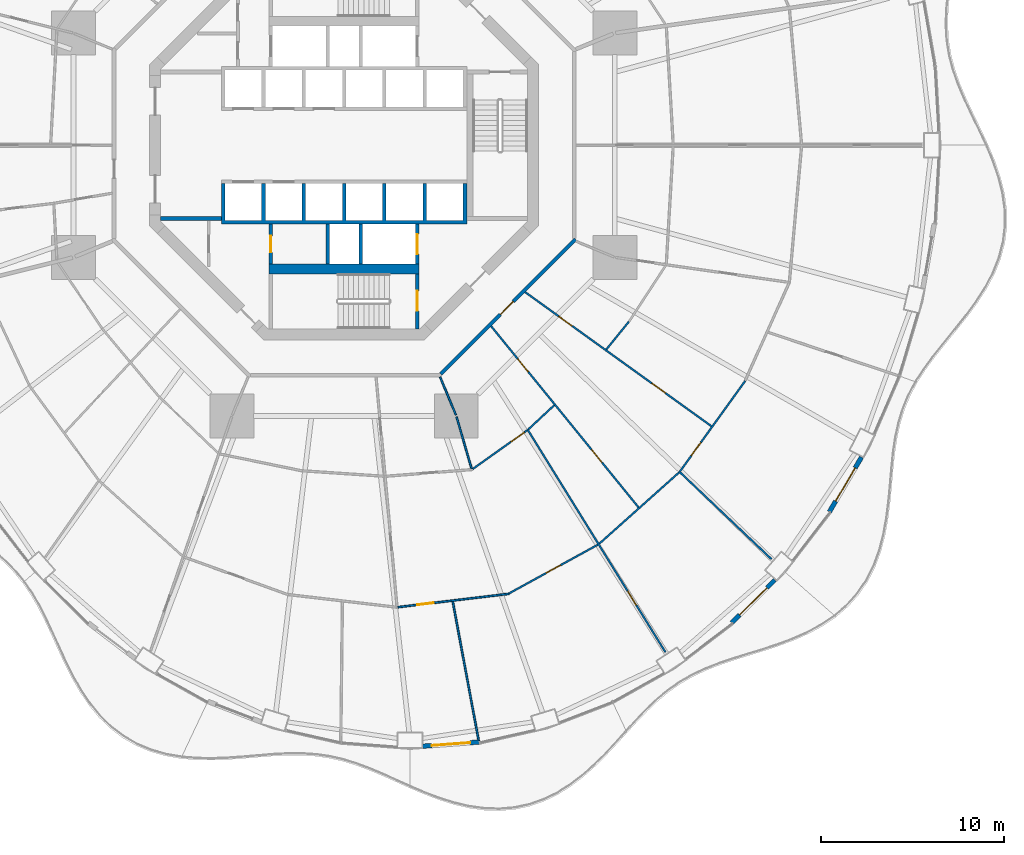
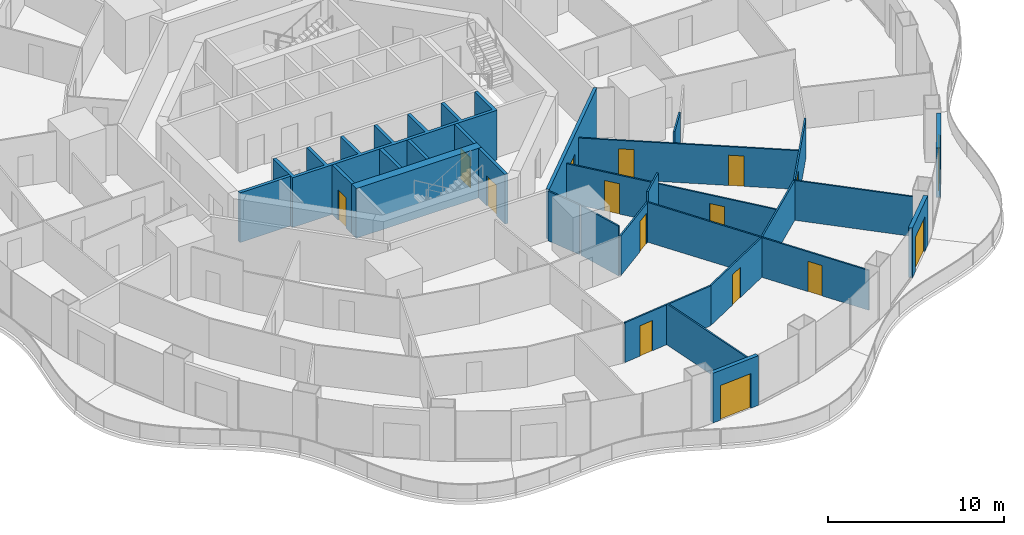
# One storey, part 14 of 21: 26 walls, 16 doors, 16 openings.
"""IFC4 building model written with IfcOpenShell, lengths in metres."""

from ifc_helpers import new_model, si_unit, direction, frame, frame_2d, origin, place, context, subcontext, project, spatial, polyline, rectangle, outline, extrude, material, layer, layer_set, type_object, element, fill, save


model = new_model("IFC4")

# Units and contexts
model_context = context("Model", 3, precision=1e-05, world=origin(), true_north=direction((0.0, 1.0)))
body_context = subcontext(model_context, "Body", "Model", "MODEL_VIEW")
ifc_project = project(units=[si_unit("LENGTHUNIT", "METRE"), si_unit("AREAUNIT", "SQUARE_METRE"), si_unit("VOLUMEUNIT", "CUBIC_METRE"), si_unit("PLANEANGLEUNIT", "RADIAN"), si_unit("MASSUNIT", "GRAM", prefix="KILO")], contexts=[model_context])

# Site, building, storey
site_placement = place(None, origin())
site = spatial("IfcSite", under=ifc_project, at=site_placement, CompositionType="ELEMENT")
building_placement = place(site_placement, origin())
building = spatial("IfcBuilding", under=site, at=building_placement, Name="Nagisa Residences", CompositionType="ELEMENT")
storey_placement = place(building_placement, frame((0.0, 0.0, 60.300048828125)))
storey = spatial("IfcBuildingStorey", under=building, at=storey_placement, Name="L14", CompositionType="ELEMENT", Elevation=60.300048828125)

# Wall, opening, door
ifc_material_1 = material(Name="Gypsum board on steel studs", Category="steel")
ifc_layer_1 = layer(ifc_material_1, 0.199951171875)
ifc_layer_set_1 = layer_set([ifc_layer_1], Name="Apartment entry wall EI60 200")
wall_type_1 = type_object("IfcWallType", Name="Apartment entry wall EI60 200", PredefinedType="PARTITIONING", material=ifc_layer_set_1)
wall_1_placement = place(storey_placement, frame((5.275146484375, -12.494140625, 0.0), z_axis=(0.0, 0.0, 1.0), x_axis=(0.707106781187, 0.707106781187, 0.0)))
wall_1 = element("IfcWall", 1, at=wall_1_placement, inside=storey, type_object=wall_type_1, Name="wall:L14:u13", PredefinedType="PARTITIONING", context=body_context, shape_type="SweptSolid", body=[
    extrude(rectangle(XDim=10.4091796875, YDim=0.199951171875, at=frame_2d((5.20458984375, 0.0))), origin(), (0.0, 0.0, 1.0), 3.43994140625),
])
opening_1_placement = place(wall_1_placement, frame((4.6044921875, 0.0, 0.0)))
opening_1 = element("IfcOpeningElement", 2, at=opening_1_placement, cuts=wall_1, Name="Opening L14-U01", PredefinedType="OPENING", context=body_context, shape_type="SweptSolid", body=[
    extrude(rectangle(XDim=1.0, YDim=2.10009765625, at=frame_2d((0.5, 1.050048828125))), frame((0.0, 0.10986328125, 0.0), z_axis=(0.0, -1.0, 0.0), x_axis=(1.0, 0.0, 0.0)), (0.0, 0.0, 1.0), 0.219970703125),
])
ifc_material_2 = material(Name="Timber fire door set", Category="wood")
door_type_1 = type_object("IfcDoorType", Name="Apartment entry door FD30S 1000x2100", OperationType="NOTDEFINED", PredefinedType="DOOR", material=ifc_material_2)
door_1_placement = place(opening_1_placement, frame((1.0, 0.0, 0.0), x_axis=(-1.0, 0.0, 0.0)))
door_1 = element("IfcDoor", 3, at=door_1_placement, inside=storey, type_object=door_type_1, Name="Entry door, Apartment 14A", OperationType="SINGLE_SWING_RIGHT", OverallHeight=2.10009765625, OverallWidth=1.0, PredefinedType="DOOR", context=body_context, shape_type="SweptSolid", body=[
    extrude(rectangle(XDim=1.0, YDim=2.10009765625, at=frame_2d((0.5, 1.050048828125))), frame((0.0, 0.02490234375, 0.0), z_axis=(0.0, -1.0, 0.0), x_axis=(1.0, 0.0, 0.0)), (0.0, 0.0, 1.0), 0.050048828125),
])
fill(opening_1, door_1)

ifc_material_3 = material(Name="Gypsum board on steel studs", Category="steel")
ifc_layer_2 = layer(ifc_material_3, 0.10009765625)
ifc_layer_set_2 = layer_set([ifc_layer_2], Name="Apartment partition 100")
wall_type_2 = type_object("IfcWallType", Name="Apartment partition 100", PredefinedType="PARTITIONING", material=ifc_layer_set_2)
wall_2_placement = place(storey_placement, frame((2.94091796875, -25.228515625, 0.0), z_axis=(0.0, 0.0, 1.0), x_axis=(0.992836126149, 0.119484001497, 0.0)))
wall_2 = element("IfcWall", 4, at=wall_2_placement, inside=storey, type_object=wall_type_2, Name="wall:L14:u76", PredefinedType="PARTITIONING", context=body_context, shape_type="SweptSolid", body=[
    extrude(rectangle(XDim=6.109375, YDim=0.10009765625, at=frame_2d((3.0546875, 0.0))), origin(), (0.0, 0.0, 1.0), 2.755859375),
])
opening_2_placement = place(wall_2_placement, frame((1.052490234375, 0.0, 0.0)))
opening_2 = element("IfcOpeningElement", 5, at=opening_2_placement, cuts=wall_2, Name="Opening L14-U11", PredefinedType="OPENING", context=body_context, shape_type="SweptSolid", body=[
    extrude(rectangle(XDim=0.89990234375, YDim=2.10009765625, at=frame_2d((0.449951171875, 1.050048828125))), frame((0.0, 0.06005859375, 0.0), z_axis=(0.0, -1.0, 0.0), x_axis=(1.0, 0.0, 0.0)), (0.0, 0.0, 1.0), 0.1201171875),
])
ifc_material_4 = material(Name="Timber door set", Category="wood")
door_type_2 = type_object("IfcDoorType", Name="Apartment door 900x2100", OperationType="NOTDEFINED", PredefinedType="DOOR", material=ifc_material_4)
door_2_placement = place(opening_2_placement, frame((0.89990234375, 0.0, 0.0), x_axis=(-1.0, 0.0, 0.0)))
door_2 = element("IfcDoor", 6, at=door_2_placement, inside=storey, type_object=door_type_2, Name="Door to master bedroom, Apartment 14A", OperationType="SINGLE_SWING_RIGHT", OverallHeight=2.10009765625, OverallWidth=0.89990234375, PredefinedType="DOOR", context=body_context, shape_type="SweptSolid", body=[
    extrude(rectangle(XDim=0.89990234375, YDim=2.10009765625, at=frame_2d((0.449951171875, 1.050048828125))), frame((0.0, 0.02490234375, 0.0), z_axis=(0.0, -1.0, 0.0), x_axis=(1.0, 0.0, 0.0)), (0.0, 0.0, 1.0), 0.050048828125),
])
fill(opening_2, door_2)

# Walls
wall_3_placement = place(storey_placement, frame((5.933349609375, -24.918701171875, 0.0), z_axis=(0.0, 0.0, 1.0), x_axis=(0.183018461258, -0.983109476528, 0.0)))
element("IfcWall", 7, at=wall_3_placement, inside=storey, type_object=wall_type_2, Name="wall:L14:u77", PredefinedType="PARTITIONING", context=body_context, shape_type="SweptSolid", body=[
    extrude(rectangle(XDim=7.89306640625, YDim=0.10009765625, at=frame_2d((3.946533203125, 0.0))), origin(), (0.0, 0.0, 1.0), 2.8369140625),
])
wall_4_placement = place(storey_placement, frame((5.24267578125, -12.6572265625, 0.0), z_axis=(0.0, 0.0, 1.0), x_axis=(0.382719158442, -0.923864733477, 0.0)))
element("IfcWall", 8, at=wall_4_placement, inside=storey, type_object=wall_type_2, Name="wall:L14:u78", PredefinedType="PARTITIONING", context=body_context, shape_type="SweptSolid", body=[
    extrude(rectangle(XDim=2.25, YDim=0.10009765625, at=frame_2d((1.125, 0.0))), origin(), (0.0, 0.0, 1.0), 3.43994140625),
])
wall_5_placement = place(storey_placement, frame((6.136962890625, -14.830078125, 0.0), z_axis=(0.0, 0.0, 1.0), x_axis=(0.279888967793, -0.960032377427, 0.0)))
element("IfcWall", 9, at=wall_5_placement, inside=storey, type_object=wall_type_2, Name="wall:L14:u79", PredefinedType="PARTITIONING", context=body_context, shape_type="SweptSolid", body=[
    extrude(rectangle(XDim=2.955322265625, YDim=0.10009765625, at=frame_2d((1.4775390625, 0.0))), origin(), (0.0, 0.0, 1.0), 3.43994140625),
])

# Wall, opening, door
wall_6_placement = place(storey_placement, frame((7.018798828125, -17.686279296875, 0.0), z_axis=(0.0, 0.0, 1.0), x_axis=(0.81494477814, 0.57953861699, 0.0)))
wall_6 = element("IfcWall", 10, at=wall_6_placement, inside=storey, type_object=wall_type_2, Name="wall:L14:u80", PredefinedType="PARTITIONING", context=body_context, shape_type="SweptSolid", body=[
    extrude(rectangle(XDim=3.644287109375, YDim=0.10009765625, at=frame_2d((1.822265625, 0.0))), origin(), (0.0, 0.0, 1.0), 2.755859375),
])
opening_3_placement = place(wall_6_placement, frame((2.564453125, 0.0, 0.0)))
opening_3 = element("IfcOpeningElement", 11, at=opening_3_placement, cuts=wall_6, Name="Opening L14-U06", PredefinedType="OPENING", context=body_context, shape_type="SweptSolid", body=[
    extrude(rectangle(XDim=0.89990234375, YDim=2.10009765625, at=frame_2d((0.449951171875, 1.050048828125))), frame((0.0, 0.06005859375, 0.0), z_axis=(0.0, -1.0, 0.0), x_axis=(1.0, 0.0, 0.0)), (0.0, 0.0, 1.0), 0.1201171875),
])
door_3_placement = place(opening_3_placement, frame((0.89990234375, 0.0, 0.0), x_axis=(-1.0, 0.0, 0.0)))
door_3 = element("IfcDoor", 12, at=door_3_placement, inside=storey, type_object=door_type_2, Name="Door to dining room, Apartment 14A", OperationType="SINGLE_SWING_LEFT", OverallHeight=2.10009765625, OverallWidth=0.89990234375, PredefinedType="DOOR", context=body_context, shape_type="SweptSolid", body=[
    extrude(rectangle(XDim=0.89990234375, YDim=2.10009765625, at=frame_2d((0.449951171875, 1.050048828125))), frame((0.0, 0.02490234375, 0.0), z_axis=(0.0, -1.0, 0.0), x_axis=(1.0, 0.0, 0.0)), (0.0, 0.0, 1.0), 0.050048828125),
])
fill(opening_3, door_3)

wall_7_placement = place(storey_placement, frame((9.0009765625, -24.48046875, 0.0), z_axis=(0.0, 0.0, 1.0), x_axis=(0.876794415294, 0.480865421203, 0.0)))
wall_7 = element("IfcWall", 13, at=wall_7_placement, inside=storey, type_object=wall_type_2, Name="wall:L14:u81", PredefinedType="PARTITIONING", context=body_context, shape_type="SweptSolid", body=[
    extrude(rectangle(XDim=5.5361328125, YDim=0.10009765625, at=frame_2d((2.76806640625, 0.0))), origin(), (0.0, 0.0, 1.0), 2.755859375),
])
opening_4_placement = place(wall_7_placement, frame((2.318115234375, 0.0, 0.0)))
opening_4 = element("IfcOpeningElement", 14, at=opening_4_placement, cuts=wall_7, Name="Opening L14-U12", PredefinedType="OPENING", context=body_context, shape_type="SweptSolid", body=[
    extrude(rectangle(XDim=0.89990234375, YDim=2.10009765625, at=frame_2d((0.449951171875, 1.050048828125))), frame((0.0, 0.06005859375, 0.0), z_axis=(0.0, -1.0, 0.0), x_axis=(1.0, 0.0, 0.0)), (0.0, 0.0, 1.0), 0.1201171875),
])
door_4_placement = place(opening_4_placement, frame((0.89990234375, 0.0, 0.0), x_axis=(-1.0, 0.0, 0.0)))
door_4 = element("IfcDoor", 15, at=door_4_placement, inside=storey, type_object=door_type_2, Name="Door to family room, Apartment 14A", OperationType="SINGLE_SWING_LEFT", OverallHeight=2.10009765625, OverallWidth=0.89990234375, PredefinedType="DOOR", context=body_context, shape_type="SweptSolid", body=[
    extrude(rectangle(XDim=0.89990234375, YDim=2.10009765625, at=frame_2d((0.449951171875, 1.050048828125))), frame((0.0, 0.02490234375, 0.0), z_axis=(0.0, -1.0, 0.0), x_axis=(1.0, 0.0, 0.0)), (0.0, 0.0, 1.0), 0.050048828125),
])
fill(opening_4, door_4)

wall_8_placement = place(storey_placement, frame((10.003173828125, -15.502685546875, 0.0), z_axis=(0.0, 0.0, 1.0), x_axis=(0.526446106164, -0.850208502254, 0.0)))
wall_8 = element("IfcWall", 16, at=wall_8_placement, inside=storey, type_object=wall_type_2, Name="wall:L14:u82", PredefinedType="PARTITIONING", context=body_context, shape_type="SweptSolid", body=[
    extrude(rectangle(XDim=14.330322265625, YDim=0.10009765625, at=frame_2d((7.1650390625, 0.0))), origin(), (0.0, 0.0, 1.0), 2.755859375),
])
opening_5_placement = place(wall_8_placement, frame((10.4150390625, 0.0, 0.0)))
opening_5 = element("IfcOpeningElement", 17, at=opening_5_placement, cuts=wall_8, Name="Opening L14-U13", PredefinedType="OPENING", context=body_context, shape_type="SweptSolid", body=[
    extrude(rectangle(XDim=0.89990234375, YDim=2.10009765625, at=frame_2d((0.449951171875, 1.050048828125))), frame((0.0, 0.06005859375, 0.0), z_axis=(0.0, -1.0, 0.0), x_axis=(1.0, 0.0, 0.0)), (0.0, 0.0, 1.0), 0.1201171875),
])
door_5_placement = place(opening_5_placement, origin())
door_5 = element("IfcDoor", 18, at=door_5_placement, inside=storey, type_object=door_type_2, Name="Door to master bedroom, Apartment 14A", OperationType="SINGLE_SWING_LEFT", OverallHeight=2.10009765625, OverallWidth=0.89990234375, PredefinedType="DOOR", context=body_context, shape_type="SweptSolid", body=[
    extrude(rectangle(XDim=0.89990234375, YDim=2.10009765625, at=frame_2d((0.449951171875, 1.050048828125))), frame((0.0, 0.02490234375, 0.0), z_axis=(0.0, -1.0, 0.0), x_axis=(1.0, 0.0, 0.0)), (0.0, 0.0, 1.0), 0.050048828125),
])
fill(opening_5, door_5)

# Walls
wall_9_placement = place(storey_placement, frame((10.066162109375, -15.51123046875, 0.0), z_axis=(0.0, 0.0, 1.0), x_axis=(0.73201609945, 0.681287333029, 0.0)))
element("IfcWall", 19, at=wall_9_placement, inside=storey, type_object=wall_type_2, Name="wall:L14:u83", PredefinedType="PARTITIONING", context=body_context, shape_type="SweptSolid", body=[
    extrude(rectangle(XDim=1.925048828125, YDim=0.10009765625, at=frame_2d((0.96240234375, 0.0))), origin(), (0.0, 0.0, 1.0), 3.43994140625),
])
wall_10_placement = place(storey_placement, frame((13.936279296875, -21.760986328125, 0.0), z_axis=(0.0, 0.0, 1.0), x_axis=(0.745806142791, 0.666163041136, 0.0)))
element("IfcWall", 20, at=wall_10_placement, inside=storey, type_object=wall_type_2, Name="wall:L14:u84", PredefinedType="PARTITIONING", context=body_context, shape_type="SweptSolid", body=[
    extrude(rectangle(XDim=5.83056640625, YDim=0.10009765625, at=frame_2d((2.915283203125, 0.0))), origin(), (0.0, 0.0, 1.0), 2.755859375),
])

# Wall, openings, doors
wall_11_placement = place(storey_placement, frame((8.027587890625, -9.88232421875, 0.0), z_axis=(0.0, 0.0, 1.0), x_axis=(0.631035554955, -0.77575390968, 0.0)))
wall_11 = element("IfcWall", 21, at=wall_11_placement, inside=storey, type_object=wall_type_2, Name="wall:L14:u85", PredefinedType="PARTITIONING", context=body_context, shape_type="SweptSolid", body=[
    extrude(rectangle(XDim=12.7587890625, YDim=0.10009765625, at=frame_2d((6.37939453125, 0.0))), origin(), (0.0, 0.0, 1.0), 2.68701171875),
])
opening_6_placement = place(wall_11_placement, frame((2.310791015625, 0.0, 0.0)))
opening_6 = element("IfcOpeningElement", 22, at=opening_6_placement, cuts=wall_11, Name="Opening L14-U02", PredefinedType="OPENING", context=body_context, shape_type="SweptSolid", body=[
    extrude(rectangle(XDim=0.89990234375, YDim=2.10009765625, at=frame_2d((0.449951171875, 1.050048828125))), frame((0.0, 0.06005859375, 0.0), z_axis=(0.0, -1.0, 0.0), x_axis=(1.0, 0.0, 0.0)), (0.0, 0.0, 1.0), 0.1201171875),
])
opening_7_placement = place(wall_11_placement, frame((8.690185546875, 0.0, 0.0)))
opening_7 = element("IfcOpeningElement", 23, at=opening_7_placement, cuts=wall_11, Name="Opening L14-U07", PredefinedType="OPENING", context=body_context, shape_type="SweptSolid", body=[
    extrude(rectangle(XDim=0.89990234375, YDim=2.10009765625, at=frame_2d((0.449951171875, 1.050048828125))), frame((0.0, 0.06005859375, 0.0), z_axis=(0.0, -1.0, 0.0), x_axis=(1.0, 0.0, 0.0)), (0.0, 0.0, 1.0), 0.1201171875),
])
door_6_placement = place(opening_6_placement, frame((0.89990234375, 0.0, 0.0), x_axis=(-1.0, 0.0, 0.0)))
door_6 = element("IfcDoor", 24, at=door_6_placement, inside=storey, type_object=door_type_2, Name="Door to laundry, Apartment 14A", OperationType="SINGLE_SWING_LEFT", OverallHeight=2.10009765625, OverallWidth=0.89990234375, PredefinedType="DOOR", context=body_context, shape_type="SweptSolid", body=[
    extrude(rectangle(XDim=0.89990234375, YDim=2.10009765625, at=frame_2d((0.449951171875, 1.050048828125))), frame((0.0, 0.02490234375, 0.0), z_axis=(0.0, -1.0, 0.0), x_axis=(1.0, 0.0, 0.0)), (0.0, 0.0, 1.0), 0.050048828125),
])
fill(opening_6, door_6)
door_7_placement = place(opening_7_placement, frame((0.89990234375, 0.0, 0.0), x_axis=(-1.0, 0.0, 0.0)))
door_7 = element("IfcDoor", 25, at=door_7_placement, inside=storey, type_object=door_type_2, Name="Door to family bathroom, Apartment 14A", OperationType="SINGLE_SWING_RIGHT", OverallHeight=2.10009765625, OverallWidth=0.89990234375, PredefinedType="DOOR", context=body_context, shape_type="SweptSolid", body=[
    extrude(rectangle(XDim=0.89990234375, YDim=2.10009765625, at=frame_2d((0.449951171875, 1.050048828125))), frame((0.0, 0.02490234375, 0.0), z_axis=(0.0, -1.0, 0.0), x_axis=(1.0, 0.0, 0.0)), (0.0, 0.0, 1.0), 0.050048828125),
])
fill(opening_7, door_7)

# Wall
wall_12_placement = place(storey_placement, frame((18.28564453125, -17.80908203125, 0.0), z_axis=(0.0, 0.0, 1.0), x_axis=(0.725242309581, -0.688493712676, 0.0)))
element("IfcWall", 26, at=wall_12_placement, inside=storey, type_object=wall_type_2, Name="wall:L14:u86", PredefinedType="PARTITIONING", context=body_context, shape_type="SweptSolid", body=[
    extrude(rectangle(XDim=6.975830078125, YDim=0.10009765625, at=frame_2d((3.48779296875, 0.0))), origin(), (0.0, 0.0, 1.0), 2.755859375),
])

# Wall, opening, door
wall_13_placement = place(storey_placement, frame((18.35107421875, -17.802978515625, 0.0), z_axis=(0.0, 0.0, 1.0), x_axis=(0.584558392935, 0.811351640936, 0.0)))
wall_13 = element("IfcWall", 27, at=wall_13_placement, inside=storey, type_object=wall_type_2, Name="wall:L14:u87", PredefinedType="PARTITIONING", context=body_context, shape_type="SweptSolid", body=[
    extrude(rectangle(XDim=6.084228515625, YDim=0.10009765625, at=frame_2d((3.0419921875, 0.0))), origin(), (0.0, 0.0, 1.0), 2.755859375),
])
opening_8_placement = place(wall_13_placement, frame((1.046142578125, 0.0, 0.0)))
opening_8 = element("IfcOpeningElement", 28, at=opening_8_placement, cuts=wall_13, Name="Opening L14-U14", PredefinedType="OPENING", context=body_context, shape_type="SweptSolid", body=[
    extrude(rectangle(XDim=0.89990234375, YDim=2.10009765625, at=frame_2d((0.449951171875, 1.050048828125))), frame((0.0, 0.06005859375, 0.0), z_axis=(0.0, -1.0, 0.0), x_axis=(1.0, 0.0, 0.0)), (0.0, 0.0, 1.0), 0.1201171875),
])
door_8_placement = place(opening_8_placement, frame((0.89990234375, 0.0, 0.0), x_axis=(-1.0, 0.0, 0.0)))
door_8 = element("IfcDoor", 29, at=door_8_placement, inside=storey, type_object=door_type_2, Name="Door to living room, Apartment 14A", OperationType="SINGLE_SWING_LEFT", OverallHeight=2.10009765625, OverallWidth=0.89990234375, PredefinedType="DOOR", context=body_context, shape_type="SweptSolid", body=[
    extrude(rectangle(XDim=0.89990234375, YDim=2.10009765625, at=frame_2d((0.449951171875, 1.050048828125))), frame((0.0, 0.02490234375, 0.0), z_axis=(0.0, -1.0, 0.0), x_axis=(1.0, 0.0, 0.0)), (0.0, 0.0, 1.0), 0.050048828125),
])
fill(opening_8, door_8)

# Wall, openings, doors
wall_14_placement = place(storey_placement, frame((9.8857421875, -8.02294921875, 0.0), z_axis=(0.0, 0.0, 1.0), x_axis=(0.811615973871, -0.58419133078, 0.0)))
wall_14 = element("IfcWall", 30, at=wall_14_placement, inside=storey, type_object=wall_type_2, Name="wall:L14:u88", PredefinedType="PARTITIONING", context=body_context, shape_type="SweptSolid", body=[
    extrude(rectangle(XDim=12.53515625, YDim=0.10009765625, at=frame_2d((6.267578125, 0.0))), origin(), (0.0, 0.0, 1.0), 2.68701171875),
])
opening_9_placement = place(wall_14_placement, frame((2.26220703125, 0.0, 0.0)))
opening_9 = element("IfcOpeningElement", 31, at=opening_9_placement, cuts=wall_14, Name="Opening L14-U03", PredefinedType="OPENING", context=body_context, shape_type="SweptSolid", body=[
    extrude(rectangle(XDim=0.89990234375, YDim=2.10009765625, at=frame_2d((0.449951171875, 1.050048828125))), frame((0.0, 0.06005859375, 0.0), z_axis=(0.0, -1.0, 0.0), x_axis=(1.0, 0.0, 0.0)), (0.0, 0.0, 1.0), 0.1201171875),
])
opening_10_placement = place(wall_14_placement, frame((8.52978515625, 0.0, 0.0)))
opening_10 = element("IfcOpeningElement", 32, at=opening_10_placement, cuts=wall_14, Name="Opening L14-U08", PredefinedType="OPENING", context=body_context, shape_type="SweptSolid", body=[
    extrude(rectangle(XDim=0.89990234375, YDim=2.10009765625, at=frame_2d((0.449951171875, 1.050048828125))), frame((0.0, 0.06005859375, 0.0), z_axis=(0.0, -1.0, 0.0), x_axis=(1.0, 0.0, 0.0)), (0.0, 0.0, 1.0), 0.1201171875),
])
door_9_placement = place(opening_9_placement, origin())
door_9 = element("IfcDoor", 33, at=door_9_placement, inside=storey, type_object=door_type_2, Name="Door to laundry, Apartment 14A", OperationType="SINGLE_SWING_LEFT", OverallHeight=2.10009765625, OverallWidth=0.89990234375, PredefinedType="DOOR", context=body_context, shape_type="SweptSolid", body=[
    extrude(rectangle(XDim=0.89990234375, YDim=2.10009765625, at=frame_2d((0.449951171875, 1.050048828125))), frame((0.0, 0.02490234375, 0.0), z_axis=(0.0, -1.0, 0.0), x_axis=(1.0, 0.0, 0.0)), (0.0, 0.0, 1.0), 0.050048828125),
])
fill(opening_9, door_9)
door_10_placement = place(opening_10_placement, origin())
door_10 = element("IfcDoor", 34, at=door_10_placement, inside=storey, type_object=door_type_2, Name="Door to dining room, Apartment 14A", OperationType="SINGLE_SWING_RIGHT", OverallHeight=2.10009765625, OverallWidth=0.89990234375, PredefinedType="DOOR", context=body_context, shape_type="SweptSolid", body=[
    extrude(rectangle(XDim=0.89990234375, YDim=2.10009765625, at=frame_2d((0.449951171875, 1.050048828125))), frame((0.0, 0.02490234375, 0.0), z_axis=(0.0, -1.0, 0.0), x_axis=(1.0, 0.0, 0.0)), (0.0, 0.0, 1.0), 0.050048828125),
])
fill(opening_10, door_10)

# Wall
wall_15_placement = place(storey_placement, frame((14.31982421875, -11.153076171875, 0.0), z_axis=(0.0, 0.0, 1.0), x_axis=(0.63006076661, 0.776545832761, 0.0)))
element("IfcWall", 35, at=wall_15_placement, inside=storey, type_object=wall_type_2, Name="wall:L14:u89", PredefinedType="PARTITIONING", context=body_context, shape_type="SweptSolid", body=[
    extrude(rectangle(XDim=1.953369140625, YDim=0.10009765625, at=frame_2d((0.9765625, 0.0))), origin(), (0.0, 0.0, 1.0), 3.43994140625),
])

# Wall, opening, door
ifc_material_5 = material(Name="Precast concrete C40/50", Category="concrete")
ifc_layer_3 = layer(ifc_material_5, 0.25)
ifc_layer_set_3 = layer_set([ifc_layer_3], Name="BALCONY DOOR WALL 250")
wall_type_3 = type_object("IfcWallType", Name="BALCONY DOOR WALL 250", PredefinedType="SOLIDWALL", material=ifc_layer_set_3)
wall_16_placement = place(storey_placement, frame((7.3759765625, -32.593017578125, 0.0), z_axis=(0.0, 0.0, 1.0), x_axis=(-0.997230834878, -0.074368420505, 0.0)))
wall_16 = element("IfcWall", 36, at=wall_16_placement, inside=storey, type_object=wall_type_3, Name="wall:L14:bay36", PredefinedType="SOLIDWALL", context=body_context, shape_type="SweptSolid", body=[
    extrude(rectangle(XDim=3.095703125, YDim=0.25, at=frame_2d((1.5478515625, 0.0))), origin(), (0.0, 0.0, 1.0), 3.43994140625),
])
opening_11_placement = place(wall_16_placement, frame((0.497802734375, 0.0, 0.0)))
opening_11 = element("IfcOpeningElement", 37, at=opening_11_placement, cuts=wall_16, Name="Opening BD-L14-13", PredefinedType="OPENING", context=body_context, shape_type="SweptSolid", body=[
    extrude(rectangle(XDim=2.10009765625, YDim=2.39990234375, at=frame_2d((1.050048828125, 1.199951171875))), frame((0.0, 0.135009765625, 0.0), z_axis=(0.0, -1.0, 0.0), x_axis=(1.0, 0.0, 0.0)), (0.0, 0.0, 1.0), 0.27001953125),
])
ifc_material_6 = material(Name="Aluminium and clear glass", Category="aluminium")
door_type_3 = type_object("IfcDoorType", Name="BALCONY SLIDING DOOR 2100x2400", OperationType="SLIDING_TO_LEFT", PredefinedType="DOOR", material=ifc_material_6)
door_11_placement = place(opening_11_placement, origin())
door_11 = element("IfcDoor", 38, at=door_11_placement, inside=storey, type_object=door_type_3, Name="door:L14:bay36", OperationType="SLIDING_TO_LEFT", OverallHeight=2.39990234375, OverallWidth=2.10009765625, PredefinedType="DOOR", context=body_context, shape_type="SweptSolid", body=[
    extrude(rectangle(XDim=2.10009765625, YDim=2.39990234375, at=frame_2d((1.050048828125, 1.199951171875))), frame((0.0, 0.02490234375, 0.0), z_axis=(0.0, -1.0, 0.0), x_axis=(1.0, 0.0, 0.0)), (0.0, 0.0, 1.0), 0.050048828125),
])
fill(opening_11, door_11)

wall_17_placement = place(storey_placement, frame((23.522216796875, -23.740478515625, 0.0), z_axis=(0.0, 0.0, 1.0), x_axis=(-0.707803094595, -0.706409781417, 0.0)))
wall_17 = element("IfcWall", 39, at=wall_17_placement, inside=storey, type_object=wall_type_3, Name="wall:L14:bay41", PredefinedType="SOLIDWALL", context=body_context, shape_type="SweptSolid", body=[
    extrude(rectangle(XDim=3.329345703125, YDim=0.25, at=frame_2d((1.66455078125, 0.0))), origin(), (0.0, 0.0, 1.0), 3.43994140625),
])
opening_12_placement = place(wall_17_placement, frame((0.614501953125, 0.0, 0.0)))
opening_12 = element("IfcOpeningElement", 40, at=opening_12_placement, cuts=wall_17, Name="Opening BD-L14-14", PredefinedType="OPENING", context=body_context, shape_type="SweptSolid", body=[
    extrude(rectangle(XDim=2.10009765625, YDim=2.39990234375, at=frame_2d((1.050048828125, 1.199951171875))), frame((0.0, 0.135009765625, 0.0), z_axis=(0.0, -1.0, 0.0), x_axis=(1.0, 0.0, 0.0)), (0.0, 0.0, 1.0), 0.27001953125),
])
door_12_placement = place(opening_12_placement, origin())
door_12 = element("IfcDoor", 41, at=door_12_placement, inside=storey, type_object=door_type_3, Name="door:L14:bay41", OperationType="SLIDING_TO_LEFT", OverallHeight=2.39990234375, OverallWidth=2.10009765625, PredefinedType="DOOR", context=body_context, shape_type="SweptSolid", body=[
    extrude(rectangle(XDim=2.10009765625, YDim=2.39990234375, at=frame_2d((1.050048828125, 1.199951171875))), frame((0.0, 0.02490234375, 0.0), z_axis=(0.0, -1.0, 0.0), x_axis=(1.0, 0.0, 0.0)), (0.0, 0.0, 1.0), 0.050048828125),
])
fill(opening_12, door_12)

wall_18_placement = place(storey_placement, frame((28.25244140625, -17.040283203125, 0.0), z_axis=(0.0, 0.0, 1.0), x_axis=(-0.506311160839, -0.862350861546, 0.0)))
wall_18 = element("IfcWall", 42, at=wall_18_placement, inside=storey, type_object=wall_type_3, Name="wall:L14:bay43", PredefinedType="SOLIDWALL", context=body_context, shape_type="SweptSolid", body=[
    extrude(rectangle(XDim=3.462158203125, YDim=0.25, at=frame_2d((1.73095703125, 0.0))), origin(), (0.0, 0.0, 1.0), 3.43994140625),
])
opening_13_placement = place(wall_18_placement, frame((0.68115234375, 0.0, 0.0)))
opening_13 = element("IfcOpeningElement", 43, at=opening_13_placement, cuts=wall_18, Name="Opening BD-L14-15", PredefinedType="OPENING", context=body_context, shape_type="SweptSolid", body=[
    extrude(rectangle(XDim=2.10009765625, YDim=2.39990234375, at=frame_2d((1.050048828125, 1.199951171875))), frame((0.0, 0.135009765625, 0.0), z_axis=(0.0, -1.0, 0.0), x_axis=(1.0, 0.0, 0.0)), (0.0, 0.0, 1.0), 0.27001953125),
])
door_13_placement = place(opening_13_placement, origin())
door_13 = element("IfcDoor", 44, at=door_13_placement, inside=storey, type_object=door_type_3, Name="door:L14:bay43", OperationType="SLIDING_TO_LEFT", OverallHeight=2.39990234375, OverallWidth=2.10009765625, PredefinedType="DOOR", context=body_context, shape_type="SweptSolid", body=[
    extrude(rectangle(XDim=2.10009765625, YDim=2.39990234375, at=frame_2d((1.050048828125, 1.199951171875))), frame((0.0, 0.02490234375, 0.0), z_axis=(0.0, -1.0, 0.0), x_axis=(1.0, 0.0, 0.0)), (0.0, 0.0, 1.0), 0.050048828125),
])
fill(opening_13, door_13)

# Wall
ifc_material_7 = material(Name="Gypsum board on steel studs", Category="steel")
ifc_layer_4 = layer(ifc_material_7, 0.199951171875)
ifc_layer_set_4 = layer_set([ifc_layer_4], Name="Core partition 200")
wall_type_4 = type_object("IfcWallType", Name="Core partition 200", PredefinedType="PARTITIONING", material=ifc_layer_set_4)
wall_19_placement = place(storey_placement, frame((-10.024658203125, -4.0, 0.0), z_axis=(0.0, 0.0, 1.0), x_axis=(1.0, 0.0, 0.0)))
element("IfcWall", 45, at=wall_19_placement, inside=storey, type_object=wall_type_4, Name="wall:L14:PSW", PredefinedType="PARTITIONING", context=body_context, shape_type="SweptSolid", body=[
    extrude(rectangle(XDim=3.32470703125, YDim=0.199951171875, at=frame_2d((1.662353515625, 0.0))), origin(), (0.0, 0.0, 1.0), 3.43994140625),
])

# Wall, opening, door
ifc_material_8 = material(Name="Concrete C60", Category="concrete")
ifc_layer_5 = layer(ifc_material_8, 0.199951171875)
ifc_layer_set_5 = layer_set([ifc_layer_5], Name="Lift shaft wall 200")
wall_type_5 = type_object("IfcWallType", Name="Lift shaft wall 200", PredefinedType="SOLIDWALL", material=ifc_layer_set_5)
wall_20_placement = place(storey_placement, frame((4.0, -6.5, 0.0), z_axis=(0.0, 0.0, 1.0), x_axis=(0.0, 1.0, 0.0)))
wall_20 = element("IfcWall", 46, at=wall_20_placement, inside=storey, type_object=wall_type_5, Name="wall:L14:Sb3", PredefinedType="SOLIDWALL", context=body_context, shape_type="SweptSolid", body=[
    extrude(rectangle(XDim=2.199951171875, YDim=0.199951171875, at=frame_2d((1.10009765625, 0.0))), origin(), (0.0, 0.0, 1.0), 3.43994140625),
])
opening_14_placement = place(wall_20_placement, frame((0.550048828125, 0.0, 0.0)))
opening_14 = element("IfcOpeningElement", 47, at=opening_14_placement, cuts=wall_20, Name="Opening L14-C07", PredefinedType="OPENING", context=body_context, shape_type="SweptSolid", body=[
    extrude(rectangle(XDim=1.10009765625, YDim=2.10009765625, at=frame_2d((0.550048828125, 1.050048828125))), frame((0.0, 0.10986328125, 0.0), z_axis=(0.0, -1.0, 0.0), x_axis=(1.0, 0.0, 0.0)), (0.0, 0.0, 1.0), 0.219970703125),
])
ifc_material_9 = material(Name="Stainless steel", Category="steel")
door_type_4 = type_object("IfcDoorType", Name="Lift landing door 1100x2100", OperationType="DOUBLE_DOOR_SLIDING", PredefinedType="DOOR", material=ifc_material_9)
door_14_placement = place(opening_14_placement, origin())
door_14 = element("IfcDoor", 48, at=door_14_placement, inside=storey, type_object=door_type_4, Name="Landing door FL2 L14", OperationType="DOUBLE_DOOR_SLIDING", OverallHeight=2.10009765625, OverallWidth=1.10009765625, PredefinedType="DOOR", context=body_context, shape_type="SweptSolid", body=[
    extrude(rectangle(XDim=1.10009765625, YDim=2.10009765625, at=frame_2d((0.550048828125, 1.050048828125))), frame((0.0, 0.02490234375, 0.0), z_axis=(0.0, -1.0, 0.0), x_axis=(1.0, 0.0, 0.0)), (0.0, 0.0, 1.0), 0.050048828125),
])
fill(opening_14, door_14)

wall_21_placement = place(storey_placement, frame((-4.0, -6.5, 0.0), z_axis=(0.0, 0.0, 1.0), x_axis=(0.0, 1.0, 0.0)))
wall_21 = element("IfcWall", 49, at=wall_21_placement, inside=storey, type_object=wall_type_5, Name="wall:L14:Sb4", PredefinedType="SOLIDWALL", context=body_context, shape_type="SweptSolid", body=[
    extrude(rectangle(XDim=2.199951171875, YDim=0.199951171875, at=frame_2d((1.10009765625, 0.0))), origin(), (0.0, 0.0, 1.0), 3.43994140625),
])
opening_15_placement = place(wall_21_placement, frame((0.64990234375, 0.0, 0.0)))
opening_15 = element("IfcOpeningElement", 50, at=opening_15_placement, cuts=wall_21, Name="Opening L14-C15", PredefinedType="OPENING", context=body_context, shape_type="SweptSolid", body=[
    extrude(rectangle(XDim=0.89990234375, YDim=2.10009765625, at=frame_2d((0.449951171875, 1.050048828125))), frame((0.0, 0.10986328125, 0.0), z_axis=(0.0, -1.0, 0.0), x_axis=(1.0, 0.0, 0.0)), (0.0, 0.0, 1.0), 0.219970703125),
])
ifc_material_10 = material(Name="Steel fire door", Category="steel")
door_type_5 = type_object("IfcDoorType", Name="Fire door EI30 900x2100 single swing", OperationType="NOTDEFINED", PredefinedType="DOOR", material=ifc_material_10)
door_15_placement = place(opening_15_placement, frame((0.89990234375, 0.0, 0.0), x_axis=(-1.0, 0.0, 0.0)))
door_15 = element("IfcDoor", 51, at=door_15_placement, inside=storey, type_object=door_type_5, Name="Refuse room door L14", OperationType="SINGLE_SWING_LEFT", OverallHeight=2.10009765625, OverallWidth=0.89990234375, PredefinedType="DOOR", context=body_context, shape_type="SweptSolid", body=[
    extrude(rectangle(XDim=0.89990234375, YDim=2.10009765625, at=frame_2d((0.449951171875, 1.050048828125))), frame((0.0, 0.02490234375, 0.0), z_axis=(0.0, -1.0, 0.0), x_axis=(1.0, 0.0, 0.0)), (0.0, 0.0, 1.0), 0.050048828125),
])
fill(opening_15, door_15)

# Walls
for number, where, z_axis, x_axis, name in (
    (52, (-0.89990234375, -6.5, 0.0), (0.0, 0.0, 1.0), (0.0, 1.0, 0.0), "wall:L14:Sb1"),
    (53, (0.89990234375, -6.5, 0.0), (0.0, 0.0, 1.0), (0.0, 1.0, 0.0), "wall:L14:Sb2"),
):
    element("IfcWall", number, at=place(storey_placement, frame(where, z_axis=z_axis, x_axis=x_axis)), inside=storey, type_object=wall_type_5, Name=name, PredefinedType="SOLIDWALL", context=body_context, shape_type="SweptSolid", body=[
        extrude(rectangle(XDim=2.199951171875, YDim=0.199951171875, at=frame_2d((1.10009765625, 0.0))), origin(), (0.0, 0.0, 1.0), 3.43994140625),
    ])
wall_22_placement = place(storey_placement, origin())
element("IfcWall", 54, at=wall_22_placement, inside=storey, type_object=wall_type_5, Name="wall:L14:Sback", PredefinedType="SOLIDWALL", context=body_context, shape_type="SweptSolid", body=[
    extrude(outline(polyline([(-6.699951171875, -2.10009765625), (-6.5, -2.10009765625), (-6.5, -4.10009765625), (-4.5, -4.10009765625), (-4.5, -2.10009765625), (-4.300048828125, -2.10009765625), (-4.300048828125, -4.10009765625), (-2.300048828125, -4.10009765625), (-2.300048828125, -2.10009765625), (-2.10009765625, -2.10009765625), (-2.10009765625, -4.10009765625), (-0.10009765625, -4.10009765625), (-0.10009765625, -2.10009765625), (0.10009765625, -2.10009765625), (0.10009765625, -4.10009765625), (2.10009765625, -4.10009765625), (2.10009765625, -2.10009765625), (2.300048828125, -2.10009765625), (2.300048828125, -4.10009765625), (4.300048828125, -4.10009765625), (4.300048828125, -2.10009765625), (4.5, -2.10009765625), (4.5, -4.10009765625), (6.5, -4.10009765625), (6.5, -2.10009765625), (6.699951171875, -2.10009765625), (6.699951171875, -4.300048828125), (-6.699951171875, -4.300048828125), (-6.699951171875, -2.10009765625)])), origin(), (0.0, 0.0, 1.0), 3.43994140625),
])

# Wall, opening, door
ifc_material_11 = material(Name="Concrete C60", Category="concrete")
ifc_layer_6 = layer(ifc_material_11, 0.199951171875)
ifc_layer_set_6 = layer_set([ifc_layer_6], Name="Stair enclosure wall 200")
wall_type_6 = type_object("IfcWallType", Name="Stair enclosure wall 200", PredefinedType="SOLIDWALL", material=ifc_layer_set_6)
wall_23_placement = place(storey_placement, frame((4.0, -10.024658203125, 0.0), z_axis=(0.0, 0.0, 1.0), x_axis=(0.0, 1.0, 0.0)))
wall_23 = element("IfcWall", 55, at=wall_23_placement, inside=storey, type_object=wall_type_6, Name="wall:L14:SS_e", PredefinedType="SOLIDWALL", context=body_context, shape_type="SweptSolid", body=[
    extrude(rectangle(XDim=3.0, YDim=0.199951171875, at=frame_2d((1.5, 0.0))), origin(), (0.0, 0.0, 1.0), 3.43994140625),
])
opening_16_placement = place(wall_23_placement, frame((0.974609375, 0.0, 0.0)))
opening_16 = element("IfcOpeningElement", 56, at=opening_16_placement, cuts=wall_23, Name="Opening L14-C11", PredefinedType="OPENING", context=body_context, shape_type="SweptSolid", body=[
    extrude(rectangle(XDim=1.10009765625, YDim=2.10009765625, at=frame_2d((0.550048828125, 1.050048828125))), frame((0.0, 0.10986328125, 0.0), z_axis=(0.0, -1.0, 0.0), x_axis=(1.0, 0.0, 0.0)), (0.0, 0.0, 1.0), 0.219970703125),
])
ifc_material_12 = material(Name="Steel fire door", Category="steel")
door_type_6 = type_object("IfcDoorType", Name="Fire door EI90 1100x2100 single swing", OperationType="NOTDEFINED", PredefinedType="DOOR", material=ifc_material_12)
door_16_placement = place(opening_16_placement, origin())
door_16 = element("IfcDoor", 57, at=door_16_placement, inside=storey, type_object=door_type_6, Name="Stair door ST-S L14", OperationType="SINGLE_SWING_RIGHT", OverallHeight=2.10009765625, OverallWidth=1.10009765625, PredefinedType="DOOR", context=body_context, shape_type="SweptSolid", body=[
    extrude(rectangle(XDim=1.10009765625, YDim=2.10009765625, at=frame_2d((0.550048828125, 1.050048828125))), frame((0.0, 0.02490234375, 0.0), z_axis=(0.0, -1.0, 0.0), x_axis=(1.0, 0.0, 0.0)), (0.0, 0.0, 1.0), 0.050048828125),
])
fill(opening_16, door_16)

# Wall
wall_24_placement = place(storey_placement, origin())
element("IfcWall", 58, at=wall_24_placement, inside=storey, type_object=wall_type_6, Name="wall:L14:SS_n", PredefinedType="SOLIDWALL", context=body_context, shape_type="SweptSolid", body=[
    extrude(outline(polyline([(4.10009765625, -7.024658203125), (-4.10009765625, -7.024658203125), (-4.10009765625, -6.5), (4.10009765625, -6.5), (4.10009765625, -7.024658203125)])), origin(), (0.0, 0.0, 1.0), 3.43994140625),
])

save(model, "model.ifc")
